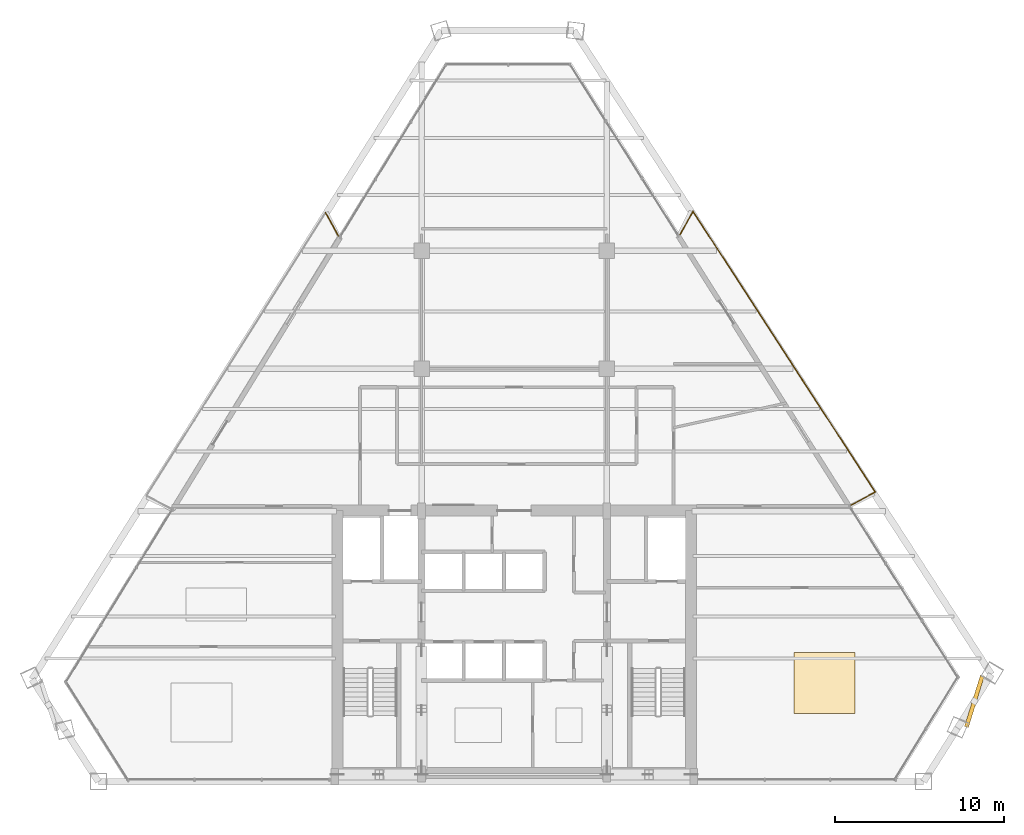
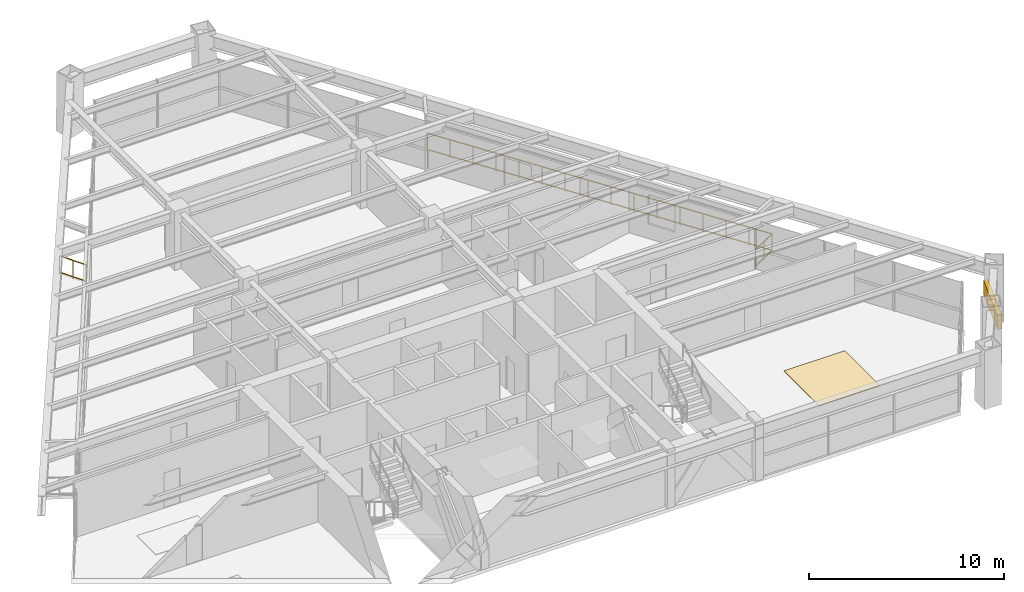
# One storey, part 15 of 15: 4 railings, 1 covering, 1 shading device.
"""IFC4 building model written with IfcOpenShell, lengths in metres."""

from ifc_helpers import new_model, si_unit, direction, frame, origin, origin_2d, place, context, subcontext, project, spatial, rectangle, extrude, source, transform, mapped, material, layer, layer_set, type_object, type_shapes, element, save


model = new_model("IFC4")

# Units and contexts
model_context = context("Model", 3, precision=1e-05, world=origin(), true_north=direction((0.0, 1.0)))
body_context = subcontext(model_context, "Body", "Model", "MODEL_VIEW")
ifc_project = project(units=[si_unit("LENGTHUNIT", "METRE"), si_unit("AREAUNIT", "SQUARE_METRE"), si_unit("VOLUMEUNIT", "CUBIC_METRE"), si_unit("PLANEANGLEUNIT", "RADIAN"), si_unit("MASSUNIT", "GRAM", prefix="KILO")], contexts=[model_context])

# Site, building, storey
site_placement = place(None, origin())
site = spatial("IfcSite", under=ifc_project, at=site_placement, CompositionType="ELEMENT")
building_placement = place(site_placement, origin())
building = spatial("IfcBuilding", under=site, at=building_placement, Name="Varnakhor Terracotta Tower", CompositionType="ELEMENT")
storey_placement = place(building_placement, frame((0.0, 0.0, 193.199951171875)))
storey = spatial("IfcBuildingStorey", under=building, at=storey_placement, Name="L49", CompositionType="ELEMENT", Elevation=193.199951171875)

# Railings
ifc_material_1 = material(Name="Stainless Steel & Laminated Glass Guardrail", Category="steel")
railing_type = type_object("IfcRailingType", Name="RLG-LOGGIA-GUARD-1150", PredefinedType="GUARDRAIL", material=ifc_material_1)
railing_1_placement = place(storey_placement, frame((9.843994140625, 32.4541015625, 0.0)))
element("IfcRailing", 1, at=railing_1_placement, inside=storey, type_object=railing_type, Name="L49 E Loggia Glass Guard 1", PredefinedType="GUARDRAIL", context=body_context, shape_type="SweptSolid", body=[
    extrude(rectangle(XDim=0.048095703125, YDim=0.048095703125, at=origin_2d()), frame((0.0, 0.0, 1.1259765625), z_axis=(0.482696815947, 0.875787522105, 0.0), x_axis=(-0.875787522105, 0.482696815947, 0.0)), (0.0, 0.0, 1.0), 1.57763671875),
    extrude(rectangle(XDim=0.048095703125, YDim=0.048095703125, at=origin_2d()), frame((0.0, 0.0, 0.10009765625), z_axis=(0.482696815947, 0.875787522105, 0.0), x_axis=(-0.875787522105, 0.482696815947, 0.0)), (0.0, 0.0, 1.0), 1.57763671875),
    extrude(rectangle(XDim=0.0419921875, YDim=0.0419921875, at=origin_2d()), origin(), (0.0, 0.0, 1.0), 1.101806640625),
    extrude(rectangle(XDim=0.0419921875, YDim=0.0419921875, at=origin_2d()), frame((0.380859375, 0.69091796875, 0.0)), (0.0, 0.0, 1.0), 1.101806640625),
    extrude(rectangle(XDim=0.0419921875, YDim=0.0419921875, at=origin_2d()), frame((0.761474609375, 1.381591796875, 0.0)), (0.0, 0.0, 1.0), 1.101806640625),
])
railing_2_placement = place(storey_placement, frame((10.60546875, 33.835693359375, 0.0)))
element("IfcRailing", 2, at=railing_2_placement, inside=storey, type_object=railing_type, Name="L49 E Loggia Glass Guard 2", PredefinedType="GUARDRAIL", context=body_context, shape_type="SweptSolid", body=[
    extrude(rectangle(XDim=0.048095703125, YDim=0.048095703125, at=origin_2d()), frame((0.0, 0.0, 1.1259765625), z_axis=(0.544435039882, -0.838803008667, 0.0), x_axis=(0.838803008667, 0.544435039882, 0.0)), (0.0, 0.0, 1.0), 19.85595703125),
    extrude(rectangle(XDim=0.048095703125, YDim=0.048095703125, at=origin_2d()), frame((0.0, 0.0, 0.10009765625), z_axis=(0.544435039882, -0.838803008667, 0.0), x_axis=(0.838803008667, 0.544435039882, 0.0)), (0.0, 0.0, 1.0), 19.85595703125),
    extrude(rectangle(XDim=0.0419921875, YDim=0.0419921875, at=origin_2d()), origin(), (0.0, 0.0, 1.0), 1.101806640625),
    extrude(rectangle(XDim=0.0419921875, YDim=0.0419921875, at=origin_2d()), frame((0.720703125, -1.1103515625, 0.0)), (0.0, 0.0, 1.0), 1.101806640625),
    extrude(rectangle(XDim=0.0419921875, YDim=0.0419921875, at=origin_2d()), frame((1.44140625, -2.220703125, 0.0)), (0.0, 0.0, 1.0), 1.101806640625),
    extrude(rectangle(XDim=0.0419921875, YDim=0.0419921875, at=origin_2d()), frame((2.162109375, -3.3310546875, 0.0)), (0.0, 0.0, 1.0), 1.101806640625),
    extrude(rectangle(XDim=0.0419921875, YDim=0.0419921875, at=origin_2d()), frame((2.8828125, -4.44140625, 0.0)), (0.0, 0.0, 1.0), 1.101806640625),
    extrude(rectangle(XDim=0.0419921875, YDim=0.0419921875, at=origin_2d()), frame((3.603515625, -5.5517578125, 0.0)), (0.0, 0.0, 1.0), 1.101806640625),
    extrude(rectangle(XDim=0.0419921875, YDim=0.0419921875, at=origin_2d()), frame((4.32421875, -6.662109375, 0.0)), (0.0, 0.0, 1.0), 1.101806640625),
    extrude(rectangle(XDim=0.0419921875, YDim=0.0419921875, at=origin_2d()), frame((5.044921875, -7.7724609375, 0.0)), (0.0, 0.0, 1.0), 1.101806640625),
    extrude(rectangle(XDim=0.0419921875, YDim=0.0419921875, at=origin_2d()), frame((5.765380859375, -8.8828125, 0.0)), (0.0, 0.0, 1.0), 1.101806640625),
    extrude(rectangle(XDim=0.0419921875, YDim=0.0419921875, at=origin_2d()), frame((6.486083984375, -9.9931640625, 0.0)), (0.0, 0.0, 1.0), 1.101806640625),
    extrude(rectangle(XDim=0.0419921875, YDim=0.0419921875, at=origin_2d()), frame((7.206787109375, -11.103515625, 0.0)), (0.0, 0.0, 1.0), 1.101806640625),
    extrude(rectangle(XDim=0.0419921875, YDim=0.0419921875, at=origin_2d()), frame((7.927490234375, -12.2138671875, 0.0)), (0.0, 0.0, 1.0), 1.101806640625),
    extrude(rectangle(XDim=0.0419921875, YDim=0.0419921875, at=origin_2d()), frame((8.648193359375, -13.32421875, 0.0)), (0.0, 0.0, 1.0), 1.101806640625),
    extrude(rectangle(XDim=0.0419921875, YDim=0.0419921875, at=origin_2d()), frame((9.368896484375, -14.4345703125, 0.0)), (0.0, 0.0, 1.0), 1.101806640625),
    extrude(rectangle(XDim=0.0419921875, YDim=0.0419921875, at=origin_2d()), frame((10.089599609375, -15.544921875, 0.0)), (0.0, 0.0, 1.0), 1.101806640625),
    extrude(rectangle(XDim=0.0419921875, YDim=0.0419921875, at=origin_2d()), frame((10.810302734375, -16.6552734375, 0.0)), (0.0, 0.0, 1.0), 1.101806640625),
])
railing_3_placement = place(storey_placement, frame((21.415771484375, 17.180419921875, 0.0)))
element("IfcRailing", 3, at=railing_3_placement, inside=storey, type_object=railing_type, Name="L49 E Loggia Glass Guard 3", PredefinedType="GUARDRAIL", context=body_context, shape_type="SweptSolid", body=[
    extrude(rectangle(XDim=0.048095703125, YDim=0.048095703125, at=origin_2d()), frame((0.0, 0.0, 1.1259765625), z_axis=(-0.878603865954, -0.477551302721, 0.0), x_axis=(0.477551302721, -0.878603865954, 0.0)), (0.0, 0.0, 1.0), 1.6181640625),
    extrude(rectangle(XDim=0.048095703125, YDim=0.048095703125, at=origin_2d()), frame((0.0, 0.0, 0.10009765625), z_axis=(-0.878603865954, -0.477551302721, 0.0), x_axis=(0.477551302721, -0.878603865954, 0.0)), (0.0, 0.0, 1.0), 1.6181640625),
    extrude(rectangle(XDim=0.0419921875, YDim=0.0419921875, at=origin_2d()), origin(), (0.0, 0.0, 1.0), 1.101806640625),
    extrude(rectangle(XDim=0.0419921875, YDim=0.0419921875, at=origin_2d()), frame((-0.7109375, -0.38623046875, 0.0)), (0.0, 0.0, 1.0), 1.101806640625),
    extrude(rectangle(XDim=0.0419921875, YDim=0.0419921875, at=origin_2d()), frame((-1.421630859375, -0.772705078125, 0.0)), (0.0, 0.0, 1.0), 1.101806640625),
])
railing_4_placement = place(storey_placement, frame((-11.1953125, 33.75439453125, 0.0)))
element("IfcRailing", 4, at=railing_4_placement, inside=storey, type_object=railing_type, Name="L49 W Loggia Glass Guard 3", PredefinedType="GUARDRAIL", context=body_context, shape_type="SweptSolid", body=[
    extrude(rectangle(XDim=0.048095703125, YDim=0.048095703125, at=origin_2d()), frame((0.0, 0.0, 1.1259765625), z_axis=(0.485221949309, -0.874391022317, 0.0), x_axis=(0.874391022317, 0.485221949309, 0.0)), (0.0, 0.0, 1.0), 1.575927734375),
    extrude(rectangle(XDim=0.048095703125, YDim=0.048095703125, at=origin_2d()), frame((0.0, 0.0, 0.10009765625), z_axis=(0.485221949309, -0.874391022317, 0.0), x_axis=(0.874391022317, 0.485221949309, 0.0)), (0.0, 0.0, 1.0), 1.575927734375),
    extrude(rectangle(XDim=0.0419921875, YDim=0.0419921875, at=origin_2d()), origin(), (0.0, 0.0, 1.0), 1.101806640625),
    extrude(rectangle(XDim=0.0419921875, YDim=0.0419921875, at=origin_2d()), frame((0.38232421875, -0.68896484375, 0.0)), (0.0, 0.0, 1.0), 1.101806640625),
    extrude(rectangle(XDim=0.0419921875, YDim=0.0419921875, at=origin_2d()), frame((0.7646484375, -1.3779296875, 0.0)), (0.0, 0.0, 1.0), 1.101806640625),
])

# Shading device
ifc_material_2 = material(Name="Extruded Architectural Terracotta Screen", Category="masonry")
shading_device_type = type_object("IfcShadingDeviceType", Name="TERRACOTTA SOLAR SCREEN E", PredefinedType="USERDEFINED", material=ifc_material_2)
shared_shape_1 = source(origin(), body_context, "Body", "SweptSolid", [
    extrude(rectangle(XDim=3.199951171875, YDim=0.239990234375, at=origin_2d()), origin(), (0.0, 0.0, 1.0), 0.919921875),
])
type_shapes(shading_device_type, [shared_shape_1])
shading_device_placement = place(storey_placement, frame((27.305419921875, 4.772216796875, 1.710205078125), z_axis=(0.0, 0.0, 1.0), x_axis=(0.296591579296, 0.955004416268, 0.0)))
element("IfcShadingDevice", 5, at=shading_device_placement, inside=storey, type_object=shading_device_type, Name="L49 E Terracotta Solar Screen", ObjectType="SCREEN", PredefinedType="USERDEFINED", context=body_context, shape_type="MappedRepresentation", body=[
    mapped(shared_shape_1, transform((0.0, 0.0, 0.0), scale=1.0)),
])

# Covering
ifc_material_3 = material(Name="Honed Riyadh Limestone Flooring", Category="masonry")
ifc_layer = layer(ifc_material_3, 0.030029296875, Name="Honed Riyadh Limestone Flooring")
ifc_layer_set = layer_set([ifc_layer], Name="Honed Riyadh Limestone Flooring")
covering_type = type_object("IfcCoveringType", Name="COV-FLOOR-LIMESTONE", PredefinedType="FLOORING", material=ifc_layer_set)
shared_shape_2 = source(origin(), body_context, "Body", "SweptSolid", [
    extrude(rectangle(XDim=3.60009765625, YDim=3.60009765625, at=origin_2d()), origin(), (0.0, 0.0, 1.0), 0.02001953125),
])
covering_placement = place(storey_placement, frame((18.4130859375, 5.85205078125, 0.0), z_axis=(0.0, 0.0, 1.0), x_axis=(1.0, 0.0, 0.0)))
element("IfcCovering", 6, at=covering_placement, inside=storey, type_object=covering_type, Name="L49 Honed Stone Flooring 4", PredefinedType="FLOORING", context=body_context, shape_type="MappedRepresentation", body=[
    mapped(shared_shape_2, transform((0.0, 0.0, 0.0), scale=1.0)),
])

save(model, "model.ifc")
